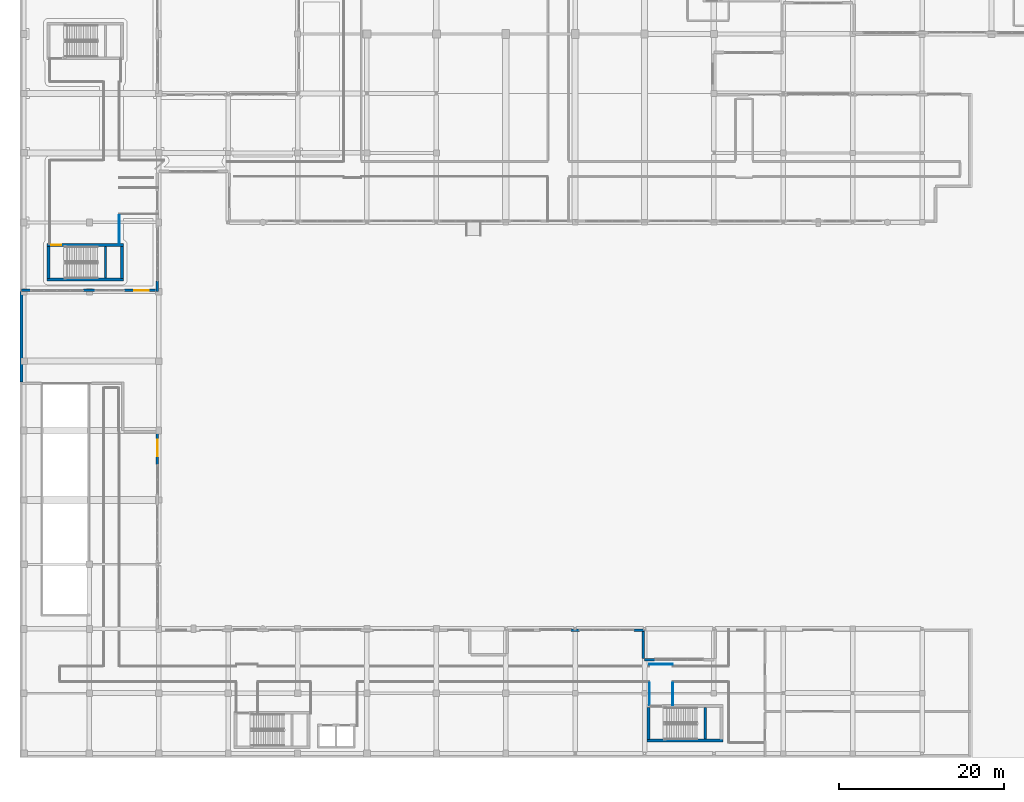
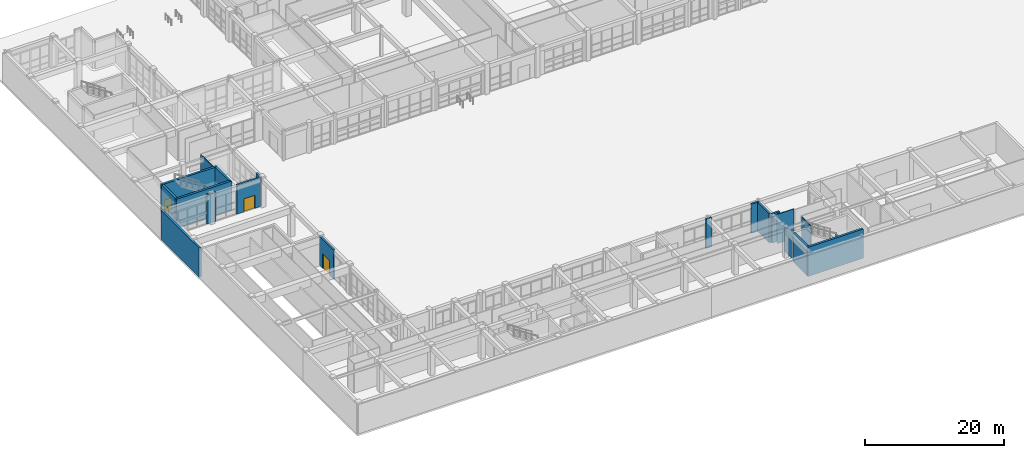
# One storey, part 128 of 148: 22 walls, 3 doors, 3 openings.
"""IFC4 building model written with IfcOpenShell, lengths in metres."""

from ifc_helpers import new_model, si_unit, direction, frame, frame_2d, origin, place, context, subcontext, project, spatial, rectangle, extrude, material, layer, layer_set, type_object, element, fill, save


model = new_model("IFC4")

# Units and contexts
model_context = context("Model", 3, precision=1e-05, world=origin(), true_north=direction((0.0, 1.0)))
body_context = subcontext(model_context, "Body", "Model", "MODEL_VIEW")
ifc_project = project(units=[si_unit("LENGTHUNIT", "METRE"), si_unit("AREAUNIT", "SQUARE_METRE"), si_unit("VOLUMEUNIT", "CUBIC_METRE"), si_unit("PLANEANGLEUNIT", "RADIAN"), si_unit("MASSUNIT", "GRAM", prefix="KILO")], contexts=[model_context])

# Site, building, storey
site_placement = place(None, origin())
site = spatial("IfcSite", under=ifc_project, at=site_placement, CompositionType="ELEMENT")
building_placement = place(site_placement, origin())
building = spatial("IfcBuilding", under=site, at=building_placement, Name="Quendrovan Civic Courthouse", CompositionType="ELEMENT")
storey_placement = place(building_placement, origin())
storey = spatial("IfcBuildingStorey", under=building, at=storey_placement, Name="L01", CompositionType="ELEMENT", Elevation=0.0)

# Wall
ifc_material_1 = material(Name="Concrete C45/55", Category="concrete")
ifc_layer_1 = layer(ifc_material_1, 0.35009765625, Name="Concrete C45/55")
ifc_layer_set_1 = layer_set([ifc_layer_1], Name="Concrete C45/55")
wall_type_1 = type_object("IfcWallType", Name="WL-CORE-350", PredefinedType="SHEAR", material=ifc_layer_set_1)
wall_1_placement = place(storey_placement, frame((3.2900390625, 57.864990234375, 0.0), z_axis=(0.0, 0.0, 1.0), x_axis=(1.0, 0.0, 0.0)))
element("IfcWall", 1, at=wall_1_placement, inside=storey, type_object=wall_type_1, Name="L01 Core Shear Wall ST4-S", PredefinedType="SHEAR", context=body_context, shape_type="SweptSolid", body=[
    extrude(rectangle(XDim=9.219970703125, YDim=0.35009765625, at=frame_2d((4.60986328125, 0.0))), origin(), (0.0, 0.0, 1.0), 5.1201171875),
])

# Wall, opening, door
wall_2_placement = place(storey_placement, frame((12.510009765625, 62.034912109375, 0.0), z_axis=(0.0, 0.0, 1.0), x_axis=(-1.0, 0.0, 0.0)))
wall_2 = element("IfcWall", 2, at=wall_2_placement, inside=storey, type_object=wall_type_1, Name="L01 Core Shear Wall ST4-N", PredefinedType="SHEAR", context=body_context, shape_type="SweptSolid", body=[
    extrude(rectangle(XDim=9.219970703125, YDim=0.35009765625, at=frame_2d((4.60986328125, 0.0))), origin(), (0.0, 0.0, 1.0), 5.1201171875),
])
opening_1_placement = place(wall_2_placement, frame((7.5, 0.0, 0.0)))
opening_1 = element("IfcOpeningElement", 3, at=opening_1_placement, cuts=wall_2, Name="Opening DS-ST4-L01", PredefinedType="OPENING", context=body_context, shape_type="SweptSolid", body=[
    extrude(rectangle(XDim=1.25, YDim=2.199951171875, at=frame_2d((0.625, 1.10009765625))), frame((0.0, 0.18505859375, 0.0), z_axis=(0.0, -1.0, 0.0), x_axis=(1.0, 0.0, 0.0)), (0.0, 0.0, 1.0), 0.3701171875),
])
ifc_material_2 = material(Name="Painted galvanized hollow-metal steel", Category="steel")
door_type_1 = type_object("IfcDoorType", Name="DR-STAIR-1250", OperationType="NOTDEFINED", PredefinedType="DOOR", material=ifc_material_2)
door_1_placement = place(opening_1_placement, origin())
door_1 = element("IfcDoor", 4, at=door_1_placement, inside=storey, type_object=door_type_1, Name="L01 Exit Stair ST4 Fire Door", OperationType="SINGLE_SWING_RIGHT", OverallHeight=2.199951171875, OverallWidth=1.25, PredefinedType="DOOR", context=body_context, shape_type="SweptSolid", body=[
    extrude(rectangle(XDim=1.25, YDim=2.199951171875, at=frame_2d((0.625, 1.10009765625))), frame((0.0, 0.02490234375, 0.0), z_axis=(0.0, -1.0, 0.0), x_axis=(1.0, 0.0, 0.0)), (0.0, 0.0, 1.0), 0.050048828125),
])
fill(opening_1, door_1)

# Walls
for number, where, z_axis, x_axis, name in (
    (5, (3.465087890625, 58.0, 0.0), (0.0, 0.0, 1.0), (0.0, 1.0, 0.0), "L01 Core Shear Wall ST4-W"),
    (6, (12.3349609375, 61.89990234375, 0.0), (0.0, 0.0, 1.0), (0.0, -1.0, 0.0), "L01 Core Shear Wall ST4-E"),
):
    element("IfcWall", number, at=place(storey_placement, frame(where, z_axis=z_axis, x_axis=x_axis)), inside=storey, type_object=wall_type_1, Name=name, PredefinedType="SHEAR", context=body_context, shape_type="SweptSolid", body=[
        extrude(rectangle(XDim=3.89990234375, YDim=0.35009765625, at=frame_2d((1.949951171875, 0.0))), origin(), (0.0, 0.0, 1.0), 5.1201171875),
    ])
wall_3_placement = place(storey_placement, frame((75.889892578125, 2.06494140625, 0.0), z_axis=(0.0, 0.0, 1.0), x_axis=(1.0, 0.0, 0.0)))
element("IfcWall", 7, at=wall_3_placement, inside=storey, type_object=wall_type_1, Name="L01 Core Shear Wall ST7-S", PredefinedType="SHEAR", context=body_context, shape_type="SweptSolid", body=[
    extrude(rectangle(XDim=9.22021484375, YDim=0.35009765625, at=frame_2d((4.610107421875, 0.0))), origin(), (0.0, 0.0, 1.0), 5.1201171875),
])
wall_4_placement = place(storey_placement, frame((76.06494140625, 2.199951171875, 0.0), z_axis=(0.0, 0.0, 1.0), x_axis=(0.0, 1.0, 0.0)))
element("IfcWall", 8, at=wall_4_placement, inside=storey, type_object=wall_type_1, Name="L01 Core Shear Wall ST7-W", PredefinedType="SHEAR", context=body_context, shape_type="SweptSolid", body=[
    extrude(rectangle(XDim=3.900146484375, YDim=0.35009765625, at=frame_2d((1.9501953125, 0.0))), origin(), (0.0, 0.0, 1.0), 5.1201171875),
])

# Wall, opening, door
ifc_material_3 = material(Name="Precast concrete C45/55", Category="concrete")
ifc_layer_2 = layer(ifc_material_3, 0.2900390625, Name="Precast concrete C45/55")
ifc_layer_set_2 = layer_set([ifc_layer_2], Name="Precast concrete C45/55")
wall_type_2 = type_object("IfcWallType", Name="WL-EXT-PC290", PredefinedType="SOLIDWALL", material=ifc_layer_set_2)
wall_5_placement = place(storey_placement, frame((16.635009765625, 39.60009765625, 0.0), z_axis=(0.0, 0.0, 1.0), x_axis=(0.0, -1.0, 0.0)))
wall_5 = element("IfcWall", 9, at=wall_5_placement, inside=storey, type_object=wall_type_2, Name="L01 Exterior Pier Wall 049", PredefinedType="SOLIDWALL", context=body_context, shape_type="SweptSolid", body=[
    extrude(rectangle(XDim=4.2001953125, YDim=0.2900390625, at=frame_2d((2.10009765625, 0.0))), origin(), (0.0, 0.0, 1.0), 5.1201171875),
])
opening_2_placement = place(wall_5_placement, frame((1.10009765625, 0.0, 0.0)))
opening_2 = element("IfcOpeningElement", 10, at=opening_2_placement, cuts=wall_5, Name="Opening DE-01", PredefinedType="OPENING", context=body_context, shape_type="SweptSolid", body=[
    extrude(rectangle(XDim=2.0, YDim=2.550048828125, at=frame_2d((1.0, 1.27490234375))), frame((0.0, 0.155029296875, 0.0), z_axis=(0.0, -1.0, 0.0), x_axis=(1.0, 0.0, 0.0)), (0.0, 0.0, 1.0), 0.31005859375),
])
ifc_material_4 = material(Name="Bronze anodised aluminium and low-E glass", Category="aluminium")
door_type_2 = type_object("IfcDoorType", Name="DR-EXT-ENTRY-2000", OperationType="NOTDEFINED", PredefinedType="DOOR", material=ifc_material_4)
door_2_placement = place(opening_2_placement, origin())
door_2 = element("IfcDoor", 11, at=door_2_placement, inside=storey, type_object=door_type_2, Name="L01 Civic Entrance and Exit Discharge Door DE-01", OperationType="SINGLE_SWING_LEFT", OverallHeight=2.550048828125, OverallWidth=2.0, PredefinedType="DOOR", context=body_context, shape_type="SweptSolid", body=[
    extrude(rectangle(XDim=2.0, YDim=2.550048828125, at=frame_2d((1.0, 1.27490234375))), frame((0.0, 0.02490234375, 0.0), z_axis=(0.0, -1.0, 0.0), x_axis=(1.0, 0.0, 0.0)), (0.0, 0.0, 1.0), 0.050048828125),
])
fill(opening_2, door_2)

# Walls
wall_6_placement = place(storey_placement, frame((66.699951171875, 15.43505859375, 0.0), z_axis=(0.0, 0.0, 1.0), x_axis=(1.0, 0.0, 0.0)))
element("IfcWall", 12, at=wall_6_placement, inside=storey, type_object=wall_type_2, Name="L01 Exterior Pier Wall 063", PredefinedType="SOLIDWALL", context=body_context, shape_type="SweptSolid", body=[
    extrude(rectangle(XDim=1.0, YDim=0.2900390625, at=frame_2d((0.5, 0.0))), origin(), (0.0, 0.0, 1.0), 5.1201171875),
])
wall_7_placement = place(storey_placement, frame((74.300048828125, 15.43505859375, 0.0), z_axis=(0.0, 0.0, 1.0), x_axis=(1.0, 0.0, 0.0)))
element("IfcWall", 13, at=wall_7_placement, inside=storey, type_object=wall_type_2, Name="L01 Exterior Pier Wall 064", PredefinedType="SOLIDWALL", context=body_context, shape_type="SweptSolid", body=[
    extrude(rectangle(XDim=1.300048828125, YDim=0.2900390625, at=frame_2d((0.64990234375, 0.0))), origin(), (0.0, 0.0, 1.0), 5.1201171875),
])
wall_8_placement = place(storey_placement, frame((75.43505859375, 15.60009765625, 0.0), z_axis=(0.0, 0.0, 1.0), x_axis=(0.0, -1.0, 0.0)))
element("IfcWall", 14, at=wall_8_placement, inside=storey, type_object=wall_type_2, Name="L01 Exterior Civic Portal Wall 065", PredefinedType="SOLIDWALL", context=body_context, shape_type="SweptSolid", body=[
    extrude(rectangle(XDim=3.60009765625, YDim=0.2900390625, at=frame_2d((1.800048828125, 0.0))), origin(), (0.0, 0.0, 1.0), 5.1201171875),
])
wall_9_placement = place(storey_placement, frame((75.60009765625, 11.8349609375, 0.0), z_axis=(0.0, 0.0, 1.0), x_axis=(1.0, 0.0, 0.0)))
element("IfcWall", 15, at=wall_9_placement, inside=storey, type_object=wall_type_2, Name="L01 Exterior Pier Wall 066", PredefinedType="SOLIDWALL", context=body_context, shape_type="SweptSolid", body=[
    extrude(rectangle(XDim=1.2998046875, YDim=0.2900390625, at=frame_2d((0.64990234375, 0.0))), origin(), (0.0, 0.0, 1.0), 5.1201171875),
])
wall_10_placement = place(storey_placement, frame((16.635009765625, 57.699951171875, 0.0), z_axis=(0.0, 0.0, 1.0), x_axis=(0.0, -1.0, 0.0)))
element("IfcWall", 16, at=wall_10_placement, inside=storey, type_object=wall_type_2, Name="L01 Exterior Pier Wall 079", PredefinedType="SOLIDWALL", context=body_context, shape_type="SweptSolid", body=[
    extrude(rectangle(XDim=1.300048828125, YDim=0.2900390625, at=frame_2d((0.64990234375, 0.0))), origin(), (0.0, 0.0, 1.0), 5.1201171875),
])

# Wall, opening, door
wall_11_placement = place(storey_placement, frame((16.800048828125, 56.56494140625, 0.0), z_axis=(0.0, 0.0, 1.0), x_axis=(-1.0, 0.0, 0.0)))
wall_11 = element("IfcWall", 17, at=wall_11_placement, inside=storey, type_object=wall_type_2, Name="L01 Exterior Pier Wall 080", PredefinedType="SOLIDWALL", context=body_context, shape_type="SweptSolid", body=[
    extrude(rectangle(XDim=4.199951171875, YDim=0.2900390625, at=frame_2d((2.10009765625, 0.0))), origin(), (0.0, 0.0, 1.0), 5.1201171875),
])
opening_3_placement = place(wall_11_placement, frame((1.199951171875, 0.0, 0.0)))
opening_3 = element("IfcOpeningElement", 18, at=opening_3_placement, cuts=wall_11, Name="Opening DE-05", PredefinedType="OPENING", context=body_context, shape_type="SweptSolid", body=[
    extrude(rectangle(XDim=1.800048828125, YDim=2.300048828125, at=frame_2d((0.89990234375, 1.14990234375))), frame((0.0, 0.155029296875, 0.0), z_axis=(0.0, -1.0, 0.0), x_axis=(1.0, 0.0, 0.0)), (0.0, 0.0, 1.0), 0.31005859375),
])
ifc_material_5 = material(Name="Painted galvanized hollow-metal steel ASTM A653 Grade 50", Category="steel")
door_type_3 = type_object("IfcDoorType", Name="DR-EXT-EXIT-1800", OperationType="NOTDEFINED", PredefinedType="DOOR", material=ifc_material_5)
door_3_placement = place(opening_3_placement, origin())
door_3 = element("IfcDoor", 19, at=door_3_placement, inside=storey, type_object=door_type_3, Name="L01 Civic Entrance and Exit Discharge Door DE-05", OperationType="SINGLE_SWING_LEFT", OverallHeight=2.300048828125, OverallWidth=1.800048828125, PredefinedType="DOOR", context=body_context, shape_type="SweptSolid", body=[
    extrude(rectangle(XDim=1.800048828125, YDim=2.300048828125, at=frame_2d((0.89990234375, 1.14990234375))), frame((0.0, 0.02490234375, 0.0), z_axis=(0.0, -1.0, 0.0), x_axis=(1.0, 0.0, 0.0)), (0.0, 0.0, 1.0), 0.050048828125),
])
fill(opening_3, door_3)

# Walls
wall_12_placement = place(storey_placement, frame((9.125, 56.56494140625, 0.0), z_axis=(0.0, 0.0, 1.0), x_axis=(-1.0, 0.0, 0.0)))
element("IfcWall", 20, at=wall_12_placement, inside=storey, type_object=wall_type_2, Name="L01 Exterior Pier Wall 081", PredefinedType="SOLIDWALL", context=body_context, shape_type="SweptSolid", body=[
    extrude(rectangle(XDim=1.449951171875, YDim=0.2900390625, at=frame_2d((0.72509765625, 0.0))), origin(), (0.0, 0.0, 1.0), 5.1201171875),
])
wall_13_placement = place(storey_placement, frame((1.300048828125, 56.56494140625, 0.0), z_axis=(0.0, 0.0, 1.0), x_axis=(-1.0, 0.0, 0.0)))
element("IfcWall", 21, at=wall_13_placement, inside=storey, type_object=wall_type_2, Name="L01 Exterior Pier Wall 082", PredefinedType="SOLIDWALL", context=body_context, shape_type="SweptSolid", body=[
    extrude(rectangle(XDim=1.125, YDim=0.2900390625, at=frame_2d((0.5625, 0.0))), origin(), (0.0, 0.0, 1.0), 5.1201171875),
])
ifc_material_6 = material(Name="Lightweight gypsum partition")
ifc_layer_3 = layer(ifc_material_6, 0.10009765625, Name="Lightweight gypsum partition")
ifc_layer_set_3 = layer_set([ifc_layer_3], Name="Lightweight gypsum partition")
wall_type_3 = type_object("IfcWallType", Name="WL-INT-100", PredefinedType="PARTITIONING", material=ifc_layer_set_3)
wall_14_placement = place(storey_placement, frame((12.0, 62.1201171875, 0.0), z_axis=(0.0, 0.0, 1.0), x_axis=(0.0, 1.0, 0.0)))
element("IfcWall", 22, at=wall_14_placement, inside=storey, type_object=wall_type_3, Name="L01 Public Hall Partition 0245", PredefinedType="PARTITIONING", context=body_context, shape_type="SweptSolid", body=[
    extrude(rectangle(XDim=3.5498046875, YDim=0.10009765625, at=frame_2d((1.77490234375, 0.0))), origin(), (0.0, 0.0, 1.0), 5.1201171875),
])
ifc_material_7 = material(Name="Concrete C40/50", Category="concrete")
ifc_layer_4 = layer(ifc_material_7, 0.360107421875, Name="Concrete C40/50")
ifc_layer_set_4 = layer_set([ifc_layer_4], Name="Concrete C40/50")
wall_type_4 = type_object("IfcWallType", Name="WL-PARTY-360", PredefinedType="SOLIDWALL", material=ifc_layer_set_4)
wall_15_placement = place(storey_placement, frame((0.2099609375, 45.449951171875, 0.0), z_axis=(0.0, 0.0, 1.0), x_axis=(0.0, 1.0, 0.0)))
element("IfcWall", 23, at=wall_15_placement, inside=storey, type_object=wall_type_4, Name="L01 West Boundary Infill Party Wall Apron Span", PredefinedType="SOLIDWALL", context=body_context, shape_type="SweptSolid", body=[
    extrude(rectangle(XDim=10.949951171875, YDim=0.360107421875, at=frame_2d((5.47509765625, 0.0))), origin(), (0.0, 0.0, 1.0), 5.1201171875),
])
ifc_layer_5 = layer(ifc_material_1, 0.25, Name="Concrete C45/55")
ifc_layer_set_5 = layer_set([ifc_layer_5], Name="Concrete C45/55")
wall_type_5 = type_object("IfcWallType", Name="WL-SHAFT-250", PredefinedType="SHEAR", material=ifc_layer_set_5)
for number, where, z_axis, x_axis, name in (
    (24, (10.35009765625, 58.050048828125, 0.0), (0.0, 0.0, 1.0), (0.0, 1.0, 0.0), "L01 Stair ST4 Mid-Landing Bearing Wall"),
    (25, (82.949951171875, 2.25, 0.0), (0.0, 0.0, 1.0), (0.0, 1.0, 0.0), "L01 Stair ST7 Mid-Landing Bearing Wall"),
):
    element("IfcWall", number, at=place(storey_placement, frame(where, z_axis=z_axis, x_axis=x_axis)), inside=storey, type_object=wall_type_5, Name=name, PredefinedType="SHEAR", context=body_context, shape_type="SweptSolid", body=[
        extrude(rectangle(XDim=3.800048828125, YDim=0.25, at=frame_2d((1.89990234375, 0.0))), origin(), (0.0, 0.0, 1.0), 2.52001953125),
    ])
ifc_material_8 = material(Name="Moisture-resistant tile-backer partition")
ifc_layer_6 = layer(ifc_material_8, 0.110107421875, Name="Moisture-resistant tile-backer partition")
ifc_layer_set_6 = layer_set([ifc_layer_6], Name="Moisture-resistant tile-backer partition")
wall_type_6 = type_object("IfcWallType", Name="WL-WET-110", PredefinedType="PARTITIONING", material=ifc_layer_set_6)
wall_16_placement = place(storey_placement, frame((76.199951171875, 9.06494140625, 0.0), z_axis=(0.0, 0.0, 1.0), x_axis=(0.0, -1.0, 0.0)))
element("IfcWall", 26, at=wall_16_placement, inside=storey, type_object=wall_type_6, Name="L01 Mediation Hearing Room Partition 0257", PredefinedType="PARTITIONING", context=body_context, shape_type="SweptSolid", body=[
    extrude(rectangle(XDim=2.744873046875, YDim=0.110107421875, at=frame_2d((1.37255859375, 0.0))), origin(), (0.0, 0.0, 1.0), 4.31005859375),
])
wall_17_placement = place(storey_placement, frame((79.0, 6.320068359375, 0.0), z_axis=(0.0, 0.0, 1.0), x_axis=(0.0, 1.0, 0.0)))
element("IfcWall", 27, at=wall_17_placement, inside=storey, type_object=wall_type_6, Name="L01 Mediation Hearing Room Partition 0258", PredefinedType="PARTITIONING", context=body_context, shape_type="SweptSolid", body=[
    extrude(rectangle(XDim=2.744873046875, YDim=0.110107421875, at=frame_2d((1.37255859375, 0.0))), origin(), (0.0, 0.0, 1.0), 5.1201171875),
])
wall_18_placement = place(storey_placement, frame((79.0, 11.300048828125, 0.0), z_axis=(0.0, 0.0, 1.0), x_axis=(-1.0, 0.0, 0.0)))
element("IfcWall", 28, at=wall_18_placement, inside=storey, type_object=wall_type_6, Name="L01 Mediation Hearing Room Partition 0259", PredefinedType="PARTITIONING", context=body_context, shape_type="SweptSolid", body=[
    extrude(rectangle(XDim=2.800048828125, YDim=0.110107421875, at=frame_2d((1.39990234375, 0.0))), origin(), (0.0, 0.0, 1.0), 5.1201171875),
])

save(model, "model.ifc")
